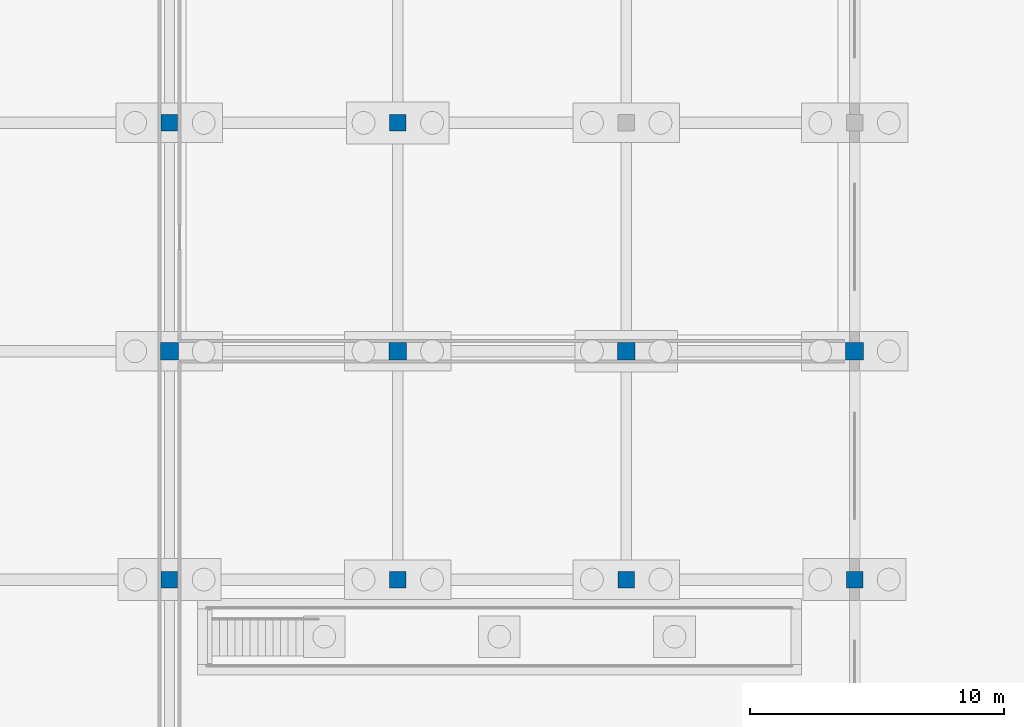
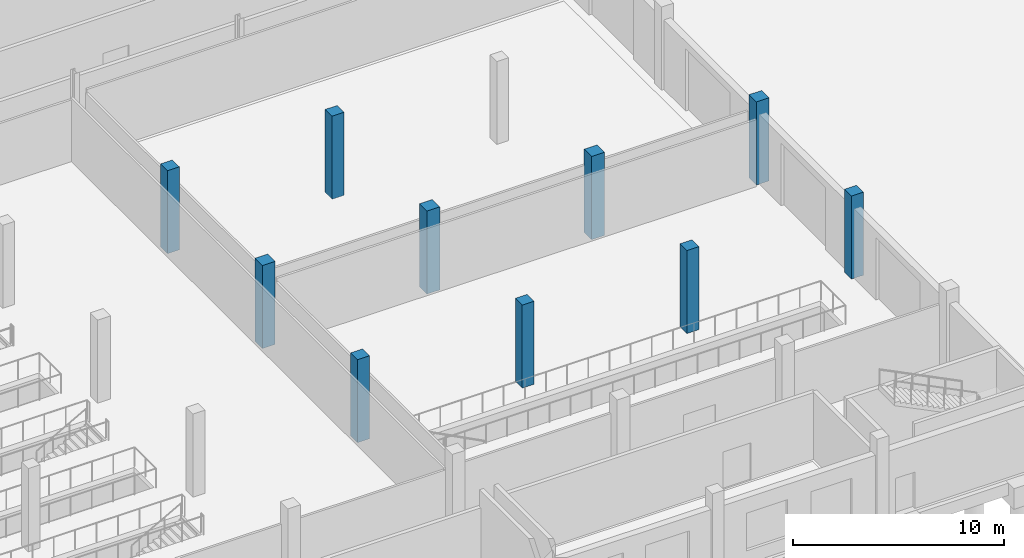
# One storey, part 25 of 112: 10 columns.
"""IFC4 building model written with IfcOpenShell, lengths in metres."""

import ifcopenshell
import ifcopenshell.guid

model = None  # the IFC model being written
_history = None  # IfcOwnerHistory: only IFC2X3 demands one
_inside = {}  # id of a spatial element -> (the spatial element, [elements in it])
_under = {}  # id of a project, library or spatial element -> (it, [spatial elements below it])
_declared = {}  # id of a project -> (the project, [libraries it declares])
_typed = {}  # id of a type object -> (the type object, [elements of that type])
_made_of = {}  # id of a material, layer set ... -> (it, [elements and type objects made of it])


def new_model(schema):
    """Start an empty IFC model of exactly this schema.

    Asked for "IFC4X3", IfcOpenShell would pick the latest addendum, in which some entities
    have other attributes; the version numbers below select the first issue.
    IFC2X3 requires an IfcOwnerHistory on every rooted entity: one is made here for all.
    """
    global model, _history
    if schema == "IFC4X3":
        model = ifcopenshell.file(schema_version=(4, 3, 0, 0))
    else:
        model = ifcopenshell.file(schema=schema)
    _inside.clear()
    _under.clear()
    _declared.clear()
    _typed.clear()
    _made_of.clear()
    _history = None
    if model.schema == "IFC2X3":
        org = make("IfcOrganization", Name="unknown")
        user = make(
            "IfcPersonAndOrganization",
            ThePerson=make("IfcPerson", FamilyName="unknown"),
            TheOrganization=org,
        )
        app = make(
            "IfcApplication",
            ApplicationDeveloper=org,
            Version="unknown",
            ApplicationFullName="unknown",
            ApplicationIdentifier="unknown",
        )
        _history = make(
            "IfcOwnerHistory",
            OwningUser=user,
            OwningApplication=app,
            ChangeAction="ADDED",
            CreationDate=0,
        )
    return model


def make(cls, **values):
    """One entity of the class cls with the attributes given. An attribute that is None is left unset."""
    return model.create_entity(
        cls, **{name: value for name, value in values.items() if value is not None}
    )


def rooted(cls, **values):
    """An entity with a GlobalId (a new one), such as an element, a storey or a relation."""
    return make(cls, GlobalId=ifcopenshell.guid.new(), OwnerHistory=_history, **values)


def si_unit(unit_type, name, prefix=None):
    """IfcSIUnit, for example si_unit("LENGTHUNIT", "METRE", prefix="MILLI")."""
    return make("IfcSIUnit", UnitType=unit_type, Prefix=prefix, Name=name)


def assignment(units):
    """IfcUnitAssignment: the units of a project."""
    return None if units is None else make("IfcUnitAssignment", Units=units)


def point(xyz):
    """IfcCartesianPoint."""
    return None if xyz is None else make("IfcCartesianPoint", Coordinates=xyz)


def direction(xyz):
    """IfcDirection."""
    return None if xyz is None else make("IfcDirection", DirectionRatios=xyz)


def frame(location, z_axis=None, x_axis=None):
    """IfcAxis2Placement3D, a coordinate frame: its origin and axes. An axis left out is left unset."""
    return make(
        "IfcAxis2Placement3D",
        Location=point(location),
        Axis=direction(z_axis),
        RefDirection=direction(x_axis),
    )


def frame_2d(location, x_axis=None):
    """IfcAxis2Placement2D, a coordinate frame in the plane: its origin and x axis."""
    return make(
        "IfcAxis2Placement2D", Location=point(location), RefDirection=direction(x_axis)
    )


def origin():
    """The frame at (0, 0, 0) with its axes left unset."""
    return frame((0.0, 0.0, 0.0))


def origin_2d():
    """The frame at (0, 0) in the plane with its x axis left unset."""
    return frame_2d((0.0, 0.0))


def place(relative_to, where):
    """IfcLocalPlacement: puts the frame where relative to a parent placement (None: the world)."""
    return make(
        "IfcLocalPlacement", PlacementRelTo=relative_to, RelativePlacement=where
    )


def context(
    kind, dimensions, precision=None, world=None, true_north=None, identifier=None
):
    """IfcGeometricRepresentationContext, for example the 3D "Model" context."""
    return make(
        "IfcGeometricRepresentationContext",
        ContextIdentifier=identifier,
        ContextType=kind,
        CoordinateSpaceDimension=dimensions,
        Precision=precision,
        WorldCoordinateSystem=world,
        TrueNorth=true_north,
    )


def subcontext(parent, identifier, kind, view, scale=None):
    """IfcGeometricRepresentationSubContext, for example "Body" below "Model"."""
    return make(
        "IfcGeometricRepresentationSubContext",
        ContextIdentifier=identifier,
        ContextType=kind,
        ParentContext=parent,
        TargetScale=scale,
        TargetView=view,
    )


def project(units=None, contexts=None):
    """IfcProject with its units and contexts."""
    return rooted(
        "IfcProject",
        Name="project",
        RepresentationContexts=contexts,
        UnitsInContext=assignment(units),
    )


def spatial(cls, under=None, at=None, **own):
    """A site, building, storey or space (cls), placed at a placement, below another one or the project."""
    s = rooted(cls, ObjectPlacement=at, **own)
    if under is not None:
        _under.setdefault(under.id(), (under, []))[1].append(s)
    return s


def profile(cls, at=None, kind="AREA", **sizes):
    """A parametric profile (cls). Its sizes go by their IFC names, for example OverallWidth=200.0."""
    return make(cls, ProfileType=kind, Position=at, **sizes)


def rectangle(**sizes):
    """IfcRectangleProfileDef."""
    return profile("IfcRectangleProfileDef", **sizes)


def extrude(swept, where, along, depth):
    """IfcExtrudedAreaSolid: the profile swept, set in the frame where, extruded along a direction by depth."""
    return make(
        "IfcExtrudedAreaSolid",
        SweptArea=swept,
        Position=where,
        ExtrudedDirection=direction(along),
        Depth=depth,
    )


def shape(context_of_items, identifier, shape_type, items):
    """IfcShapeRepresentation: the items that make up one representation, for example the "Body"."""
    return make(
        "IfcShapeRepresentation",
        ContextOfItems=context_of_items,
        RepresentationIdentifier=identifier,
        RepresentationType=shape_type,
        Items=items,
    )


def material(Name=None, Category=None):
    """IfcMaterial."""
    return make("IfcMaterial", Name=Name, Category=Category)


def material_profile(
    of_material, cross_section, Name=None, Category=None, Priority=None
):
    """IfcMaterialProfile: a cross section and its material."""
    return make(
        "IfcMaterialProfile",
        Name=Name,
        Material=of_material,
        Profile=cross_section,
        Priority=Priority,
        Category=Category,
    )


def profile_set(profiles, Name=None, composite=None):
    """IfcMaterialProfileSet."""
    return make(
        "IfcMaterialProfileSet",
        Name=Name,
        MaterialProfiles=profiles,
        CompositeProfile=composite,
    )


def made_of(thing, what):
    """Note that an element or type object is made of a material, layer set ...; save() writes the relation."""
    if what is not None:
        _made_of.setdefault(what.id(), (what, []))[1].append(thing)
    return thing


def type_object(cls, material=None, **own):
    """A type object (cls), such as IfcWallType, which elements share."""
    return made_of(rooted(cls, **own), material)


def element(
    cls,
    number,
    at=None,
    inside=None,
    cuts=None,
    type_object=None,
    material=None,
    context=None,
    identifier="Body",
    shape_type=None,
    held_by="IfcProductDefinitionShape",
    body=None,
    shapes=None,
    **own,
):
    """One element of the class cls, such as IfcWall. Its Tag is "e" and its number.

    at: its placement. inside: the storey or other place that contains it. cuts: it is an
    opening in that element (IfcRelVoidsElement). A single representation is given by context,
    identifier, shape_type and body (its items); several are given by shapes. held_by: the class
    of the entity that holds the representations. save() writes the other relations.
    """
    e = rooted(cls, Tag="e%d" % number, ObjectPlacement=at, **own)
    if body is not None:
        shapes = [shape(context, identifier, shape_type, body)]
    if shapes is not None:
        e.Representation = make(held_by, Representations=shapes)
    if inside is not None:
        _inside.setdefault(inside.id(), (inside, []))[1].append(e)
    if cuts is not None:
        rooted(
            "IfcRelVoidsElement", RelatingBuildingElement=cuts, RelatedOpeningElement=e
        )
    if type_object is not None:
        _typed.setdefault(type_object.id(), (type_object, []))[1].append(e)
    return made_of(e, material)


def aggregate(whole, parts):
    """IfcRelAggregates: a whole, such as a stair, and the parts it consists of."""
    return rooted("IfcRelAggregates", RelatingObject=whole, RelatedObjects=parts)


def save(model, path):
    """Write the relations noted so far, then the file.

    IfcRelAggregates (storeys below a building ...), IfcRelContainedInSpatialStructure (elements
    in a storey), IfcRelDefinesByType, IfcRelAssociatesMaterial and IfcRelDeclares: one each for
    every whole, place, type object, material and project.
    """
    for whole, parts in _under.values():
        aggregate(whole, parts)
    for where, things in _inside.values():
        rooted(
            "IfcRelContainedInSpatialStructure",
            RelatedElements=things,
            RelatingStructure=where,
        )
    for kind, things in _typed.values():
        rooted("IfcRelDefinesByType", RelatedObjects=things, RelatingType=kind)
    for what, things in _made_of.values():
        rooted("IfcRelAssociatesMaterial", RelatedObjects=things, RelatingMaterial=what)
    for by, libraries in _declared.values():
        rooted("IfcRelDeclares", RelatingContext=by, RelatedDefinitions=libraries)
    model.write(path)


model = new_model("IFC4")

# Units and contexts
model_context = context("Model", 3, precision=1e-05, world=origin(), true_north=direction((0.0, 1.0)))
body_context = subcontext(model_context, "Body", "Model", "MODEL_VIEW")
ifc_project = project(units=[si_unit("LENGTHUNIT", "METRE"), si_unit("AREAUNIT", "SQUARE_METRE"), si_unit("VOLUMEUNIT", "CUBIC_METRE"), si_unit("PLANEANGLEUNIT", "RADIAN"), si_unit("MASSUNIT", "GRAM", prefix="KILO")], contexts=[model_context])

# Site, building, storey
site_placement = place(None, origin())
site = spatial("IfcSite", under=ifc_project, at=site_placement, CompositionType="ELEMENT")
building_placement = place(site_placement, origin())
building = spatial("IfcBuilding", under=site, at=building_placement, Name="Tharagai Park Tramway Depot", CompositionType="ELEMENT")
storey_placement = place(building_placement, origin())
storey = spatial("IfcBuildingStorey", under=building, at=storey_placement, Name="L00", CompositionType="ELEMENT", Elevation=0.0)

# Columns
ifc_material = material(Name="Concrete M40", Category="concrete")
ifc_material_profile_1 = material_profile(ifc_material, rectangle(XDim=0.64990234375, YDim=0.64990234375, at=origin_2d()), Name="RC 650x650")
ifc_profile_set_1 = profile_set([ifc_material_profile_1], Name="Concrete M40")
column_type_1 = type_object("IfcColumnType", Name="CL-12", PredefinedType="COLUMN", material=ifc_profile_set_1)
for number, where, z_axis, x_axis, name in (
    (1, (63.0, 63.0, 0.0), (0.0, 0.0, 1.0), (1.0, 0.0, 0.0), "L00 Structural Column CL-12 (63,63)"),
    (2, (63.0, 81.0, 0.0), (0.0, 0.0, 1.0), (1.0, 0.0, 0.0), "L00 Structural Column CL-12 (63,81)"),
    (3, (72.0, 63.0, 0.0), (0.0, 0.0, 1.0), (1.0, 0.0, 0.0), "L00 Structural Column CL-12 (72,63)"),
    (4, (72.0, 81.0, 0.0), (0.0, 0.0, 1.0), (1.0, 0.0, 0.0), "L00 Structural Column CL-12 (72,81)"),
    (5, (81.0, 63.0, 0.0), (0.0, 0.0, 1.0), (1.0, 0.0, 0.0), "L00 Structural Column CL-12 (81,63)"),
    (6, (90.0, 63.0, 0.0), (0.0, 0.0, 1.0), (1.0, 0.0, 0.0), "L00 Structural Column CL-12 (90,63)"),
):
    element("IfcColumn", number, at=place(storey_placement, frame(where, z_axis=z_axis, x_axis=x_axis)), inside=storey, type_object=column_type_1, Name=name, PredefinedType="COLUMN", context=body_context, shape_type="SweptSolid", body=[
        extrude(rectangle(XDim=0.64990234375, YDim=0.64990234375, at=origin_2d()), origin(), (0.0, 0.0, 1.0), 4.800048828125),
    ])
ifc_material_profile_2 = material_profile(ifc_material, rectangle(XDim=0.699951171875, YDim=0.699951171875, at=origin_2d()), Name="RC 700x700")
ifc_profile_set_2 = profile_set([ifc_material_profile_2], Name="Concrete M40")
column_type_2 = type_object("IfcColumnType", Name="CL-15", PredefinedType="COLUMN", material=ifc_profile_set_2)
for number, where, z_axis, x_axis, name in (
    (7, (63.0, 72.0, 0.0), (0.0, 0.0, 1.0), (1.0, 0.0, 0.0), "L00 Structural Column CL-15 (63,72)"),
    (8, (72.0, 72.0, 0.0), (0.0, 0.0, 1.0), (1.0, 0.0, 0.0), "L00 Structural Column CL-15 (72,72)"),
    (9, (81.0, 72.0, 0.0), (0.0, 0.0, 1.0), (1.0, 0.0, 0.0), "L00 Structural Column CL-15 (81,72)"),
    (10, (90.0, 72.0, 0.0), (0.0, 0.0, 1.0), (1.0, 0.0, 0.0), "L00 Structural Column CL-15 (90,72)"),
):
    element("IfcColumn", number, at=place(storey_placement, frame(where, z_axis=z_axis, x_axis=x_axis)), inside=storey, type_object=column_type_2, Name=name, PredefinedType="COLUMN", context=body_context, shape_type="SweptSolid", body=[
        extrude(rectangle(XDim=0.699951171875, YDim=0.699951171875, at=origin_2d()), origin(), (0.0, 0.0, 1.0), 4.800048828125),
    ])

save(model, "model.ifc")
